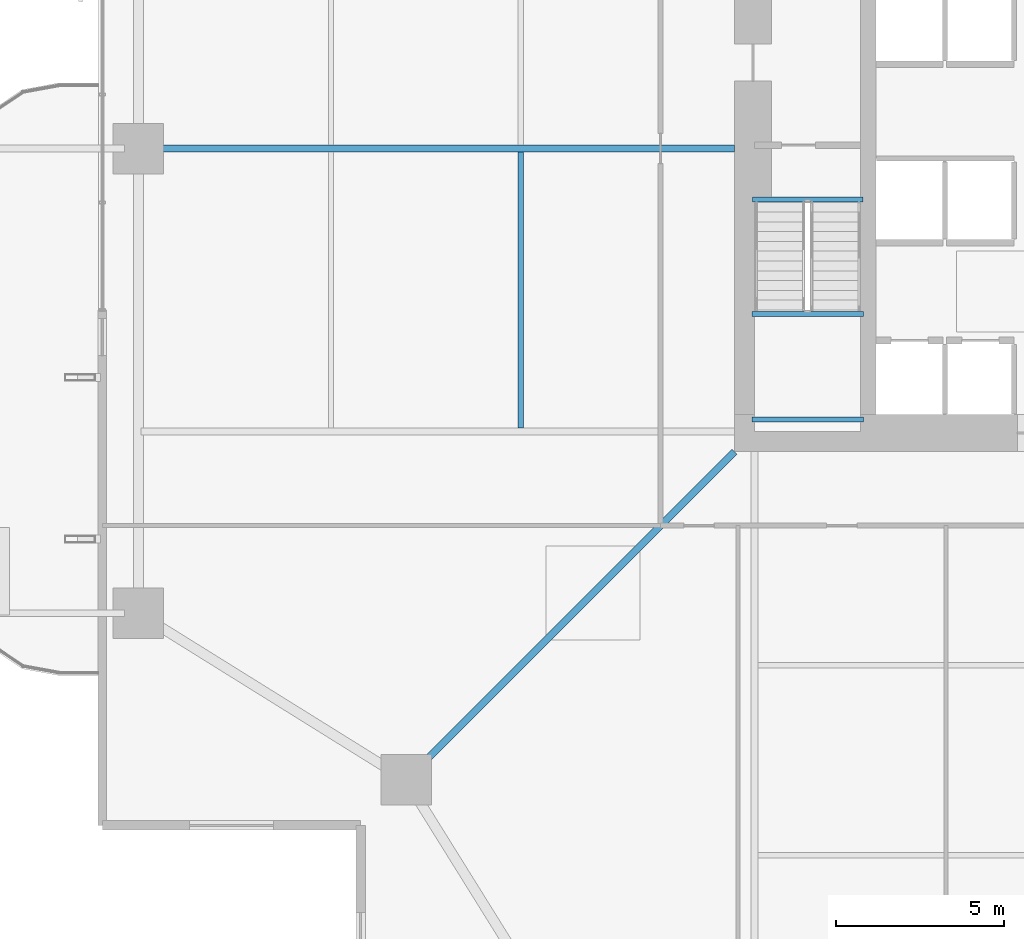
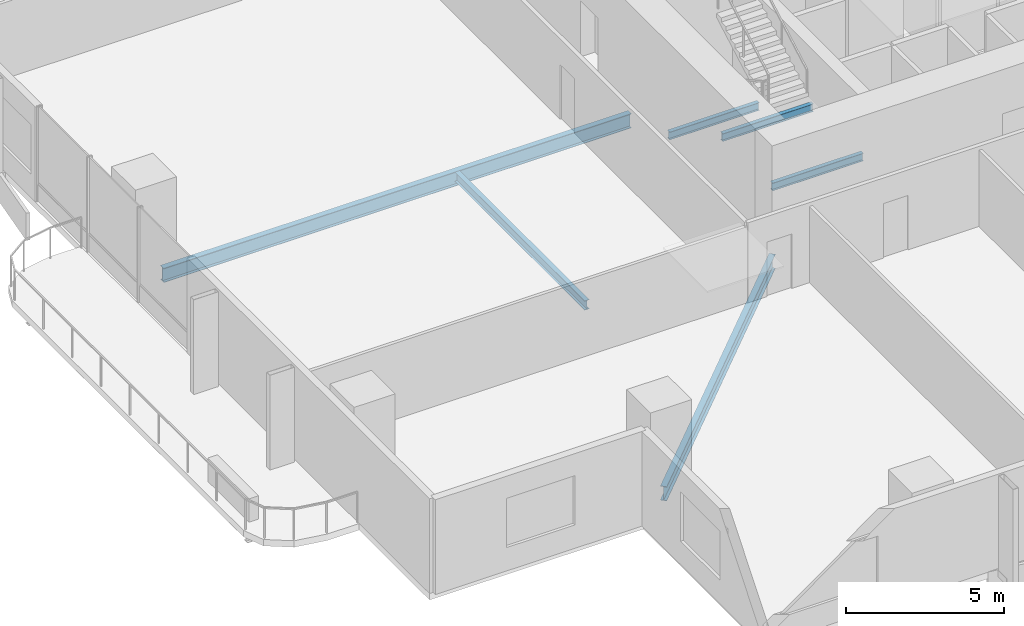
# One storey, part 5 of 24: 6 beams.
"""IFC4 building model written with IfcOpenShell, lengths in metres."""

from ifc_helpers import new_model, si_unit, direction, frame, origin, origin_2d, place, context, subcontext, project, spatial, i_section, extrude, material, material_profile, profile_set, type_object, element, save


model = new_model("IFC4")

# Units and contexts
model_context = context("Model", 3, precision=1e-05, world=origin(), true_north=direction((0.0, 1.0)))
body_context = subcontext(model_context, "Body", "Model", "MODEL_VIEW")
ifc_project = project(units=[si_unit("LENGTHUNIT", "METRE"), si_unit("AREAUNIT", "SQUARE_METRE"), si_unit("VOLUMEUNIT", "CUBIC_METRE"), si_unit("PLANEANGLEUNIT", "RADIAN"), si_unit("MASSUNIT", "GRAM", prefix="KILO")], contexts=[model_context])

# Site, building, storey
site_placement = place(None, origin())
site = spatial("IfcSite", under=ifc_project, at=site_placement, CompositionType="ELEMENT")
building_placement = place(site_placement, origin())
building = spatial("IfcBuilding", under=site, at=building_placement, Name="Belovzor Exchange Tower", CompositionType="ELEMENT")
storey_placement = place(building_placement, frame((0.0, 0.0, 96.300048828125)))
storey = spatial("IfcBuildingStorey", under=building, at=storey_placement, Name="L23", CompositionType="ELEMENT", Elevation=96.300048828125)

# Beams
ifc_material_1 = material(Name="Steel S355", Category="steel")
ifc_material_profile_1 = material_profile(ifc_material_1, i_section(OverallWidth=0.169921875, OverallDepth=0.360107421875, WebThickness=0.008056640625, FlangeThickness=0.0126953125, at=origin_2d()))
ifc_profile_set_1 = profile_set([ifc_material_profile_1], Name="Steel S355")
beam_type_1 = type_object("IfcBeamType", Name="Secondary Infill Floor Joist IPE 360", PredefinedType="BEAM", material=ifc_profile_set_1)
beam_1_placement = place(storey_placement, frame((13.455078125, 20.5048828125, -0.429931640625), z_axis=(0.0, 1.0, 0.0), x_axis=(-1.0, 0.0, 0.0)))
element("IfcBeam", 1, at=beam_1_placement, inside=storey, type_object=beam_type_1, Name="FJ-360 Secondary Infill Floor Joist IPE 360", PredefinedType="BEAM", context=body_context, shape_type="SweptSolid", body=[
    extrude(i_section(OverallWidth=0.169921875, OverallDepth=0.360107421875, WebThickness=0.008056640625, FlangeThickness=0.0126953125, at=origin_2d()), origin(), (0.0, 0.0, 1.0), 8.190185546875),
])
ifc_material_2 = material(Name="Steel S355", Category="steel")
ifc_material_profile_2 = material_profile(ifc_material_2, i_section(OverallWidth=0.14990234375, OverallDepth=0.300048828125, WebThickness=0.007080078125, FlangeThickness=0.0107421875, at=origin_2d()))
ifc_profile_set_2 = profile_set([ifc_material_profile_2], Name="Steel S355")
beam_type_2 = type_object("IfcBeamType", Name="Secondary Trim Floor Joist IPE 300", PredefinedType="BEAM", material=ifc_profile_set_2)
for number, where, z_axis, x_axis, name in (
    (2, (20.320068359375, 23.889892578125, 1.599853515625), (1.0, 0.0, 0.0), (0.0, 1.0, 0.0), "FJ-300 Secondary Trim Floor Joist IPE 300"),
    (3, (20.320068359375, 20.75, 1.599853515625), (1.0, 0.0, 0.0), (0.0, 1.0, 0.0), "FJ-300 Secondary Trim Floor Joist IPE 300"),
):
    element("IfcBeam", number, at=place(storey_placement, frame(where, z_axis=z_axis, x_axis=x_axis)), inside=storey, type_object=beam_type_2, Name=name, PredefinedType="BEAM", context=body_context, shape_type="SweptSolid", body=[
        extrude(i_section(OverallWidth=0.14990234375, OverallDepth=0.300048828125, WebThickness=0.007080078125, FlangeThickness=0.0107421875, at=origin_2d()), origin(), (0.0, 0.0, 1.0), 3.309814453125),
    ])
beam_2_placement = place(storey_placement, frame((20.340087890625, 27.280029296875, -0.400146484375), z_axis=(1.0, 0.0, 0.0), x_axis=(0.0, 1.0, 0.0)))
element("IfcBeam", 4, at=beam_2_placement, inside=storey, type_object=beam_type_2, Name="FJ-300 Secondary Trim Floor Joist IPE 300", PredefinedType="BEAM", context=body_context, shape_type="SweptSolid", body=[
    extrude(i_section(OverallWidth=0.14990234375, OverallDepth=0.300048828125, WebThickness=0.007080078125, FlangeThickness=0.0107421875, at=origin_2d()), origin(), (0.0, 0.0, 1.0), 3.27001953125),
])
ifc_material_3 = material(Name="Steel S355", Category="steel")
ifc_material_profile_3 = material_profile(ifc_material_3, i_section(OverallWidth=0.2099609375, OverallDepth=0.550048828125, WebThickness=0.010986328125, FlangeThickness=0.01708984375, at=origin_2d()))
ifc_profile_set_3 = profile_set([ifc_material_profile_3], Name="Steel S355")
beam_type_3 = type_object("IfcBeamType", Name="Zone 1 Radial Composite Floor Beam IPE 550", PredefinedType="BEAM", material=ifc_profile_set_3)
beam_3_placement = place(storey_placement, frame((19.800048828125, 28.800048828125, -0.525146484375), z_axis=(-1.0, 0.0, 0.0), x_axis=(0.0, -1.0, 0.0)))
element("IfcBeam", 5, at=beam_3_placement, inside=storey, type_object=beam_type_3, Name="FB-550 Zone 1 Radial Composite Floor Beam IPE 550", PredefinedType="BEAM", context=body_context, shape_type="SweptSolid", body=[
    extrude(i_section(OverallWidth=0.2099609375, OverallDepth=0.550048828125, WebThickness=0.010986328125, FlangeThickness=0.01708984375, at=origin_2d()), origin(), (0.0, 0.0, 1.0), 17.0400390625),
])
beam_4_placement = place(storey_placement, frame((19.800048828125, 19.800048828125, -0.525146484375), z_axis=(-0.707106781187, -0.707106781187, 0.0), x_axis=(0.707106781187, -0.707106781187, 0.0)))
element("IfcBeam", 6, at=beam_4_placement, inside=storey, type_object=beam_type_3, Name="FB-550 Zone 1 Radial Composite Floor Beam IPE 550", PredefinedType="BEAM", context=body_context, shape_type="SweptSolid", body=[
    extrude(i_section(OverallWidth=0.2099609375, OverallDepth=0.550048828125, WebThickness=0.010986328125, FlangeThickness=0.01708984375, at=origin_2d()), origin(), (0.0, 0.0, 1.0), 13.25830078125),
])

save(model, "model.ifc")
